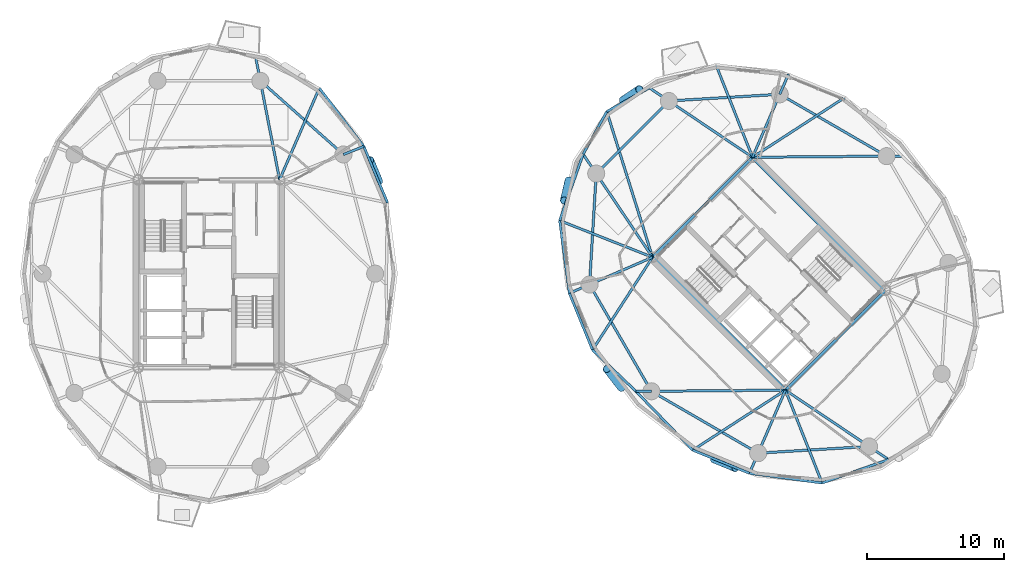
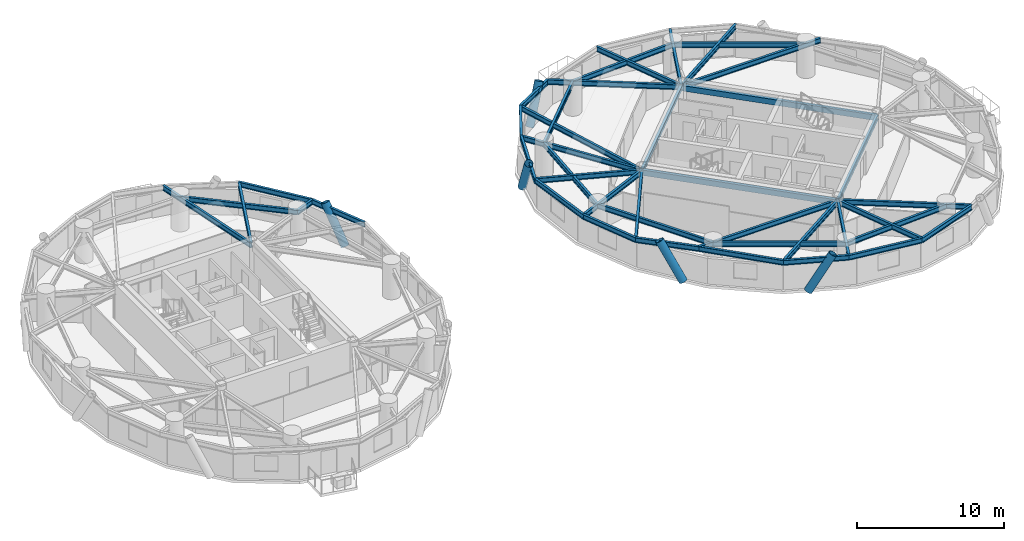
# One storey, part 4 of 15: 44 beams, 5 members.
"""IFC4 building model written with IfcOpenShell, lengths in metres."""

import ifcopenshell
import ifcopenshell.guid

model = None  # the IFC model being written
_history = None  # IfcOwnerHistory: only IFC2X3 demands one
_inside = {}  # id of a spatial element -> (the spatial element, [elements in it])
_under = {}  # id of a project, library or spatial element -> (it, [spatial elements below it])
_declared = {}  # id of a project -> (the project, [libraries it declares])
_typed = {}  # id of a type object -> (the type object, [elements of that type])
_made_of = {}  # id of a material, layer set ... -> (it, [elements and type objects made of it])


def new_model(schema):
    """Start an empty IFC model of exactly this schema.

    Asked for "IFC4X3", IfcOpenShell would pick the latest addendum, in which some entities
    have other attributes; the version numbers below select the first issue.
    IFC2X3 requires an IfcOwnerHistory on every rooted entity: one is made here for all.
    """
    global model, _history
    if schema == "IFC4X3":
        model = ifcopenshell.file(schema_version=(4, 3, 0, 0))
    else:
        model = ifcopenshell.file(schema=schema)
    _inside.clear()
    _under.clear()
    _declared.clear()
    _typed.clear()
    _made_of.clear()
    _history = None
    if model.schema == "IFC2X3":
        org = make("IfcOrganization", Name="unknown")
        user = make(
            "IfcPersonAndOrganization",
            ThePerson=make("IfcPerson", FamilyName="unknown"),
            TheOrganization=org,
        )
        app = make(
            "IfcApplication",
            ApplicationDeveloper=org,
            Version="unknown",
            ApplicationFullName="unknown",
            ApplicationIdentifier="unknown",
        )
        _history = make(
            "IfcOwnerHistory",
            OwningUser=user,
            OwningApplication=app,
            ChangeAction="ADDED",
            CreationDate=0,
        )
    return model


def make(cls, **values):
    """One entity of the class cls with the attributes given. An attribute that is None is left unset."""
    return model.create_entity(
        cls, **{name: value for name, value in values.items() if value is not None}
    )


def rooted(cls, **values):
    """An entity with a GlobalId (a new one), such as an element, a storey or a relation."""
    return make(cls, GlobalId=ifcopenshell.guid.new(), OwnerHistory=_history, **values)


def si_unit(unit_type, name, prefix=None):
    """IfcSIUnit, for example si_unit("LENGTHUNIT", "METRE", prefix="MILLI")."""
    return make("IfcSIUnit", UnitType=unit_type, Prefix=prefix, Name=name)


def assignment(units):
    """IfcUnitAssignment: the units of a project."""
    return None if units is None else make("IfcUnitAssignment", Units=units)


def point(xyz):
    """IfcCartesianPoint."""
    return None if xyz is None else make("IfcCartesianPoint", Coordinates=xyz)


def direction(xyz):
    """IfcDirection."""
    return None if xyz is None else make("IfcDirection", DirectionRatios=xyz)


def frame(location, z_axis=None, x_axis=None):
    """IfcAxis2Placement3D, a coordinate frame: its origin and axes. An axis left out is left unset."""
    return make(
        "IfcAxis2Placement3D",
        Location=point(location),
        Axis=direction(z_axis),
        RefDirection=direction(x_axis),
    )


def frame_2d(location, x_axis=None):
    """IfcAxis2Placement2D, a coordinate frame in the plane: its origin and x axis."""
    return make(
        "IfcAxis2Placement2D", Location=point(location), RefDirection=direction(x_axis)
    )


def origin():
    """The frame at (0, 0, 0) with its axes left unset."""
    return frame((0.0, 0.0, 0.0))


def origin_2d():
    """The frame at (0, 0) in the plane with its x axis left unset."""
    return frame_2d((0.0, 0.0))


def place(relative_to, where):
    """IfcLocalPlacement: puts the frame where relative to a parent placement (None: the world)."""
    return make(
        "IfcLocalPlacement", PlacementRelTo=relative_to, RelativePlacement=where
    )


def context(
    kind, dimensions, precision=None, world=None, true_north=None, identifier=None
):
    """IfcGeometricRepresentationContext, for example the 3D "Model" context."""
    return make(
        "IfcGeometricRepresentationContext",
        ContextIdentifier=identifier,
        ContextType=kind,
        CoordinateSpaceDimension=dimensions,
        Precision=precision,
        WorldCoordinateSystem=world,
        TrueNorth=true_north,
    )


def subcontext(parent, identifier, kind, view, scale=None):
    """IfcGeometricRepresentationSubContext, for example "Body" below "Model"."""
    return make(
        "IfcGeometricRepresentationSubContext",
        ContextIdentifier=identifier,
        ContextType=kind,
        ParentContext=parent,
        TargetScale=scale,
        TargetView=view,
    )


def project(units=None, contexts=None):
    """IfcProject with its units and contexts."""
    return rooted(
        "IfcProject",
        Name="project",
        RepresentationContexts=contexts,
        UnitsInContext=assignment(units),
    )


def spatial(cls, under=None, at=None, **own):
    """A site, building, storey or space (cls), placed at a placement, below another one or the project."""
    s = rooted(cls, ObjectPlacement=at, **own)
    if under is not None:
        _under.setdefault(under.id(), (under, []))[1].append(s)
    return s


def profile(cls, at=None, kind="AREA", **sizes):
    """A parametric profile (cls). Its sizes go by their IFC names, for example OverallWidth=200.0."""
    return make(cls, ProfileType=kind, Position=at, **sizes)


def hollow_rectangle(**sizes):
    """IfcRectangleHollowProfileDef."""
    return profile("IfcRectangleHollowProfileDef", **sizes)


def hollow_circle(**sizes):
    """IfcCircleHollowProfileDef."""
    return profile("IfcCircleHollowProfileDef", **sizes)


def i_section(**sizes):
    """IfcIShapeProfileDef."""
    return profile("IfcIShapeProfileDef", **sizes)


def extrude(swept, where, along, depth):
    """IfcExtrudedAreaSolid: the profile swept, set in the frame where, extruded along a direction by depth."""
    return make(
        "IfcExtrudedAreaSolid",
        SweptArea=swept,
        Position=where,
        ExtrudedDirection=direction(along),
        Depth=depth,
    )


def shape(context_of_items, identifier, shape_type, items):
    """IfcShapeRepresentation: the items that make up one representation, for example the "Body"."""
    return make(
        "IfcShapeRepresentation",
        ContextOfItems=context_of_items,
        RepresentationIdentifier=identifier,
        RepresentationType=shape_type,
        Items=items,
    )


def material(Name=None, Category=None):
    """IfcMaterial."""
    return make("IfcMaterial", Name=Name, Category=Category)


def material_profile(
    of_material, cross_section, Name=None, Category=None, Priority=None
):
    """IfcMaterialProfile: a cross section and its material."""
    return make(
        "IfcMaterialProfile",
        Name=Name,
        Material=of_material,
        Profile=cross_section,
        Priority=Priority,
        Category=Category,
    )


def profile_set(profiles, Name=None, composite=None):
    """IfcMaterialProfileSet."""
    return make(
        "IfcMaterialProfileSet",
        Name=Name,
        MaterialProfiles=profiles,
        CompositeProfile=composite,
    )


def made_of(thing, what):
    """Note that an element or type object is made of a material, layer set ...; save() writes the relation."""
    if what is not None:
        _made_of.setdefault(what.id(), (what, []))[1].append(thing)
    return thing


def type_object(cls, material=None, **own):
    """A type object (cls), such as IfcWallType, which elements share."""
    return made_of(rooted(cls, **own), material)


def element(
    cls,
    number,
    at=None,
    inside=None,
    cuts=None,
    type_object=None,
    material=None,
    context=None,
    identifier="Body",
    shape_type=None,
    held_by="IfcProductDefinitionShape",
    body=None,
    shapes=None,
    **own,
):
    """One element of the class cls, such as IfcWall. Its Tag is "e" and its number.

    at: its placement. inside: the storey or other place that contains it. cuts: it is an
    opening in that element (IfcRelVoidsElement). A single representation is given by context,
    identifier, shape_type and body (its items); several are given by shapes. held_by: the class
    of the entity that holds the representations. save() writes the other relations.
    """
    e = rooted(cls, Tag="e%d" % number, ObjectPlacement=at, **own)
    if body is not None:
        shapes = [shape(context, identifier, shape_type, body)]
    if shapes is not None:
        e.Representation = make(held_by, Representations=shapes)
    if inside is not None:
        _inside.setdefault(inside.id(), (inside, []))[1].append(e)
    if cuts is not None:
        rooted(
            "IfcRelVoidsElement", RelatingBuildingElement=cuts, RelatedOpeningElement=e
        )
    if type_object is not None:
        _typed.setdefault(type_object.id(), (type_object, []))[1].append(e)
    return made_of(e, material)


def aggregate(whole, parts):
    """IfcRelAggregates: a whole, such as a stair, and the parts it consists of."""
    return rooted("IfcRelAggregates", RelatingObject=whole, RelatedObjects=parts)


def save(model, path):
    """Write the relations noted so far, then the file.

    IfcRelAggregates (storeys below a building ...), IfcRelContainedInSpatialStructure (elements
    in a storey), IfcRelDefinesByType, IfcRelAssociatesMaterial and IfcRelDeclares: one each for
    every whole, place, type object, material and project.
    """
    for whole, parts in _under.values():
        aggregate(whole, parts)
    for where, things in _inside.values():
        rooted(
            "IfcRelContainedInSpatialStructure",
            RelatedElements=things,
            RelatingStructure=where,
        )
    for kind, things in _typed.values():
        rooted("IfcRelDefinesByType", RelatedObjects=things, RelatingType=kind)
    for what, things in _made_of.values():
        rooted("IfcRelAssociatesMaterial", RelatedObjects=things, RelatingMaterial=what)
    for by, libraries in _declared.values():
        rooted("IfcRelDeclares", RelatingContext=by, RelatedDefinitions=libraries)
    model.write(path)


model = new_model("IFC4")

# Units and contexts
model_context = context("Model", 3, precision=1e-05, world=origin(), true_north=direction((0.0, 1.0)))
body_context = subcontext(model_context, "Body", "Model", "MODEL_VIEW")
ifc_project = project(units=[si_unit("LENGTHUNIT", "METRE"), si_unit("AREAUNIT", "SQUARE_METRE"), si_unit("VOLUMEUNIT", "CUBIC_METRE"), si_unit("PLANEANGLEUNIT", "RADIAN"), si_unit("MASSUNIT", "GRAM", prefix="KILO")], contexts=[model_context])

# Site, building, storey
site_placement = place(None, origin())
site = spatial("IfcSite", under=ifc_project, at=site_placement, CompositionType="ELEMENT")
building_placement = place(site_placement, origin())
building = spatial("IfcBuilding", under=site, at=building_placement, Name="Cununo Teusaquillo Station Towers", CompositionType="ELEMENT")
storey_placement = place(building_placement, frame((0.0, 0.0, 189.429931640625)))
storey = spatial("IfcBuildingStorey", under=building, at=storey_placement, Name="L60", CompositionType="ELEMENT", Elevation=189.429931640625)

# Beams
ifc_material_1 = material(Name="Steel EN 10025-2 S355J2", Category="steel")
ifc_material_profile_1 = material_profile(ifc_material_1, hollow_rectangle(XDim=0.25, YDim=0.449951171875, WallThickness=0.01611328125, at=origin_2d()), Name="RHS 450x250x16")
ifc_profile_set_1 = profile_set([ifc_material_profile_1], Name="Steel EN 10025-2 S355J2")
beam_type_1 = type_object("IfcBeamType", Name="BM-COUP-1", PredefinedType="USERDEFINED", material=ifc_profile_set_1)
for number, where, z_axis, x_axis, name in (
    (1, (58.70556640625, 15.975830078125, 2.344970703125), (-0.707106781187, 0.707106781187, 0.0), (-0.707106781187, -0.707106781187, 0.0), "L60 Tower B Core Beam 1"),
    (2, (66.024169921875, 23.29443359375, 2.344970703125), (-0.707106781187, 0.707106781187, 0.0), (-0.707106781187, -0.707106781187, 0.0), "L60 Tower B Core Beam 2"),
):
    element("IfcBeam", number, at=place(storey_placement, frame(where, z_axis=z_axis, x_axis=x_axis)), inside=storey, type_object=beam_type_1, Name=name, ObjectType="COUPLING BEAM", PredefinedType="USERDEFINED", context=body_context, shape_type="SweptSolid", body=[
        extrude(hollow_rectangle(XDim=0.25, YDim=0.449951171875, WallThickness=0.01611328125, at=origin_2d()), origin(), (0.0, 0.0, 1.0), 13.760009765625),
    ])
ifc_material_2 = material(Name="Steel ASTM A572 Grade 50", Category="steel")
ifc_material_profile_2 = material_profile(ifc_material_2, i_section(OverallWidth=0.180908203125, OverallDepth=0.4169921875, WebThickness=0.010986328125, FlangeThickness=0.018310546875, FilletRadius=0.012939453125, at=origin_2d()), Name="W16X57")
ifc_profile_set_2 = profile_set([ifc_material_profile_2], Name="Steel ASTM A572 Grade 50")
beam_type_2 = type_object("IfcBeamType", Name="BM-JOIST-1", PredefinedType="JOIST", material=ifc_profile_set_2)
beam_1_placement = place(storey_placement, frame((21.675048828125, 31.3798828125, 2.361572265625), z_axis=(0.397903718051, 0.917427180304, 0.0), x_axis=(-0.917427180304, 0.397903718051, 0.0)))
element("IfcBeam", 3, at=beam_1_placement, inside=storey, type_object=beam_type_2, Name="L60 Tower A Radial Spandrel Joist V03", PredefinedType="JOIST", context=body_context, shape_type="SweptSolid", body=[
    extrude(i_section(OverallWidth=0.180908203125, OverallDepth=0.4169921875, WebThickness=0.010986328125, FlangeThickness=0.018310546875, FilletRadius=0.012939453125, at=origin_2d()), origin(), (0.0, 0.0, 1.0), 7.306884765625),
])
beam_2_placement = place(storey_placement, frame((56.29443359375, 33.024169921875, 2.361572265625), z_axis=(0.839447756954, 0.543440395394, 0.0), x_axis=(-0.543440395394, 0.839447756954, 0.0)))
element("IfcBeam", 4, at=beam_2_placement, inside=storey, type_object=beam_type_2, Name="L60 Tower B Radial Spandrel Joist V01", PredefinedType="JOIST", context=body_context, shape_type="SweptSolid", body=[
    extrude(i_section(OverallWidth=0.180908203125, OverallDepth=0.4169921875, WebThickness=0.010986328125, FlangeThickness=0.018310546875, FilletRadius=0.012939453125, at=origin_2d()), origin(), (0.0, 0.0, 1.0), 8.08203125),
])
beam_3_placement = place(storey_placement, frame((56.29443359375, 33.024169921875, 2.361572265625), z_axis=(-0.367331607091, 0.93009004426, 0.0), x_axis=(-0.93009004426, -0.367331607091, 0.0)))
element("IfcBeam", 5, at=beam_3_placement, inside=storey, type_object=beam_type_2, Name="L60 Tower B Radial Spandrel Joist V03", PredefinedType="JOIST", context=body_context, shape_type="SweptSolid", body=[
    extrude(i_section(OverallWidth=0.180908203125, OverallDepth=0.4169921875, WebThickness=0.010986328125, FlangeThickness=0.018310546875, FilletRadius=0.012939453125, at=origin_2d()), origin(), (0.0, 0.0, 1.0), 7.306884765625),
])
beam_4_placement = place(storey_placement, frame((48.975830078125, 25.70556640625, 2.361572265625), z_axis=(-0.29947962656, 0.954102695351, 0.0), x_axis=(-0.954102695351, -0.29947962656, 0.0)))
element("IfcBeam", 6, at=beam_4_placement, inside=storey, type_object=beam_type_2, Name="L60 Tower B Radial Spandrel Joist V05", PredefinedType="JOIST", context=body_context, shape_type="SweptSolid", body=[
    extrude(i_section(OverallWidth=0.180908203125, OverallDepth=0.4169921875, WebThickness=0.010986328125, FlangeThickness=0.018310546875, FilletRadius=0.012939453125, at=origin_2d()), origin(), (0.0, 0.0, 1.0), 11.179931640625),
])
beam_5_placement = place(storey_placement, frame((48.975830078125, 25.70556640625, 2.361572265625), z_axis=(-0.93009004426, 0.367331607091, 0.0), x_axis=(-0.367331607091, -0.93009004426, 0.0)))
element("IfcBeam", 7, at=beam_5_placement, inside=storey, type_object=beam_type_2, Name="L60 Tower B Radial Spandrel Joist V07", PredefinedType="JOIST", context=body_context, shape_type="SweptSolid", body=[
    extrude(i_section(OverallWidth=0.180908203125, OverallDepth=0.4169921875, WebThickness=0.010986328125, FlangeThickness=0.018310546875, FilletRadius=0.012939453125, at=origin_2d()), origin(), (0.0, 0.0, 1.0), 7.306884765625),
])
for number, where, z_axis, x_axis, name in (
    (8, (48.975830078125, 25.70556640625, 2.361572265625), (-0.543440395394, -0.839447756954, 0.0), (0.839447756954, -0.543440395394, 0.0), "L60 Tower B Radial Spandrel Joist V09"),
    (9, (58.70556640625, 15.975830078125, 2.361572265625), (-0.839447756954, -0.543440395394, 0.0), (0.543440395394, -0.839447756954, 0.0), "L60 Tower B Radial Spandrel Joist V11"),
):
    element("IfcBeam", number, at=place(storey_placement, frame(where, z_axis=z_axis, x_axis=x_axis)), inside=storey, type_object=beam_type_2, Name=name, PredefinedType="JOIST", context=body_context, shape_type="SweptSolid", body=[
        extrude(i_section(OverallWidth=0.180908203125, OverallDepth=0.4169921875, WebThickness=0.010986328125, FlangeThickness=0.018310546875, FilletRadius=0.012939453125, at=origin_2d()), origin(), (0.0, 0.0, 1.0), 8.08203125),
    ])
beam_6_placement = place(storey_placement, frame((58.70556640625, 15.975830078125, 2.361572265625), z_axis=(0.367331607091, -0.93009004426, 0.0), x_axis=(0.93009004426, 0.367331607091, 0.0)))
element("IfcBeam", 10, at=beam_6_placement, inside=storey, type_object=beam_type_2, Name="L60 Tower B Radial Spandrel Joist V13", PredefinedType="JOIST", context=body_context, shape_type="SweptSolid", body=[
    extrude(i_section(OverallWidth=0.180908203125, OverallDepth=0.4169921875, WebThickness=0.010986328125, FlangeThickness=0.018310546875, FilletRadius=0.012939453125, at=origin_2d()), origin(), (0.0, 0.0, 1.0), 7.306884765625),
])
ifc_material_3 = material(Name="Steel ASTM A572 Grade 50", Category="steel")
ifc_material_profile_3 = material_profile(ifc_material_3, i_section(OverallWidth=0.2041015625, OverallDepth=0.35009765625, WebThickness=0.008544921875, FlangeThickness=0.01513671875, FilletRadius=0.011962890625, at=origin_2d()), Name="W14X48")
ifc_profile_set_3 = profile_set([ifc_material_profile_3], Name="Steel ASTM A572 Grade 50")
beam_type_3 = type_object("IfcBeamType", Name="BM-LINTEL-1", PredefinedType="LINTEL", material=ifc_profile_set_3)
for number, where, z_axis, x_axis, name in (
    (11, (58.70556640625, 15.975830078125, 2.39501953125), (0.707106781187, 0.707106781187, 0.0), (-0.707106781187, 0.707106781187, 0.0), "L60 Tower B Core Beam 3"),
    (12, (48.975830078125, 25.70556640625, 2.39501953125), (0.707106781187, 0.707106781187, 0.0), (-0.707106781187, 0.707106781187, 0.0), "L60 Tower B Core Beam 4"),
):
    element("IfcBeam", number, at=place(storey_placement, frame(where, z_axis=z_axis, x_axis=x_axis)), inside=storey, type_object=beam_type_3, Name=name, PredefinedType="LINTEL", context=body_context, shape_type="SweptSolid", body=[
        extrude(i_section(OverallWidth=0.2041015625, OverallDepth=0.35009765625, WebThickness=0.008544921875, FlangeThickness=0.01513671875, FilletRadius=0.011962890625, at=origin_2d()), origin(), (0.0, 0.0, 1.0), 10.35009765625),
    ])
ifc_material_4 = material(Name="Steel ASTM A572 Grade 50", Category="steel")
ifc_material_profile_4 = material_profile(ifc_material_4, i_section(OverallWidth=0.180908203125, OverallDepth=0.4169921875, WebThickness=0.010986328125, FlangeThickness=0.018310546875, FilletRadius=0.012939453125, at=origin_2d()), Name="W16X57")
ifc_profile_set_4 = profile_set([ifc_material_profile_4], Name="Steel ASTM A572 Grade 50")
beam_type_4 = type_object("IfcBeamType", Name="BM-RAD-G2", PredefinedType="BEAM", material=ifc_profile_set_4)
beam_7_placement = place(storey_placement, frame((26.347412109375, 33.228515625, 2.361572265625), z_axis=(0.929873737198, 0.367878829058, 0.0), x_axis=(-0.367878829058, 0.929873737198, 0.0)))
element("IfcBeam", 13, at=beam_7_placement, inside=storey, type_object=beam_type_4, Name="L60 Tower A Perimeter Overhang Girder 02B", PredefinedType="BEAM", context=body_context, shape_type="SweptSolid", body=[
    extrude(i_section(OverallWidth=0.180908203125, OverallDepth=0.4169921875, WebThickness=0.010986328125, FlangeThickness=0.018310546875, FilletRadius=0.012939453125, at=origin_2d()), origin(), (0.0, 0.0, 1.0), 1.607421875),
])
beam_8_placement = place(storey_placement, frame((21.675048828125, 31.3798828125, 2.361572265625), z_axis=(-0.191557018874, 0.981481486591, 0.0), x_axis=(-0.981481486591, -0.191557018874, 0.0)))
element("IfcBeam", 14, at=beam_8_placement, inside=storey, type_object=beam_type_4, Name="L60 Tower A Continuous Overhanging Radial Girder 03", PredefinedType="BEAM", context=body_context, shape_type="SweptSolid", body=[
    extrude(i_section(OverallWidth=0.180908203125, OverallDepth=0.4169921875, WebThickness=0.010986328125, FlangeThickness=0.018310546875, FilletRadius=0.012939453125, at=origin_2d()), origin(), (0.0, 0.0, 1.0), 9.097412109375),
])
beam_9_placement = place(storey_placement, frame((56.29443359375, 33.024169921875, 2.361572265625), z_axis=(0.999964410964, 0.008436634764, 0.0), x_axis=(-0.008436634764, 0.999964410964, 0.0)))
element("IfcBeam", 15, at=beam_9_placement, inside=storey, type_object=beam_type_4, Name="L60 Tower B Continuous Overhanging Radial Girder 01", PredefinedType="BEAM", context=body_context, shape_type="SweptSolid", body=[
    extrude(i_section(OverallWidth=0.180908203125, OverallDepth=0.4169921875, WebThickness=0.010986328125, FlangeThickness=0.018310546875, FilletRadius=0.012939453125, at=origin_2d()), origin(), (0.0, 0.0, 1.0), 10.938720703125),
])
beam_10_placement = place(storey_placement, frame((56.29443359375, 33.024169921875, 2.361572265625), z_axis=(0.397346986387, 0.917668443616, 0.0), x_axis=(-0.917668443616, 0.397346986387, 0.0)))
element("IfcBeam", 16, at=beam_10_placement, inside=storey, type_object=beam_type_4, Name="L60 Tower B Radial Girder 02A", PredefinedType="BEAM", context=body_context, shape_type="SweptSolid", body=[
    extrude(i_section(OverallWidth=0.180908203125, OverallDepth=0.4169921875, WebThickness=0.010986328125, FlangeThickness=0.018310546875, FilletRadius=0.012939453125, at=origin_2d()), origin(), (0.0, 0.0, 1.0), 5.02490234375),
])
beam_11_placement = place(storey_placement, frame((58.291015625, 37.63525390625, 2.361572265625), z_axis=(0.397381487564, 0.917653503966, 0.0), x_axis=(-0.917653503966, 0.397381487564, 0.0)))
element("IfcBeam", 17, at=beam_11_placement, inside=storey, type_object=beam_type_4, Name="L60 Tower B Perimeter Overhang Girder 02B", PredefinedType="BEAM", context=body_context, shape_type="SweptSolid", body=[
    extrude(i_section(OverallWidth=0.180908203125, OverallDepth=0.4169921875, WebThickness=0.010986328125, FlangeThickness=0.018310546875, FilletRadius=0.012939453125, at=origin_2d()), origin(), (0.0, 0.0, 1.0), 1.607177734375),
])
for number, where, z_axis, x_axis, name in (
    (18, (56.29443359375, 33.024169921875, 2.361572265625), (-0.829456719326, 0.558570989907, 0.0), (-0.558570989907, -0.829456719326, 0.0), "L60 Tower B Continuous Overhanging Radial Girder 03"),
    (19, (48.975830078125, 25.70556640625, 2.361572265625), (-0.558570989907, 0.829456719326, 0.0), (-0.829456719326, -0.558570989907, 0.0), "L60 Tower B Continuous Overhanging Radial Girder 04"),
):
    element("IfcBeam", number, at=place(storey_placement, frame(where, z_axis=z_axis, x_axis=x_axis)), inside=storey, type_object=beam_type_4, Name=name, PredefinedType="BEAM", context=body_context, shape_type="SweptSolid", body=[
        extrude(i_section(OverallWidth=0.180908203125, OverallDepth=0.4169921875, WebThickness=0.010986328125, FlangeThickness=0.018310546875, FilletRadius=0.012939453125, at=origin_2d()), origin(), (0.0, 0.0, 1.0), 9.097412109375),
    ])
beam_12_placement = place(storey_placement, frame((48.975830078125, 25.70556640625, 2.361572265625), z_axis=(-0.917664823247, -0.397355347486, 0.0), x_axis=(0.397355347486, -0.917664823247, 0.0)))
element("IfcBeam", 20, at=beam_12_placement, inside=storey, type_object=beam_type_4, Name="L60 Tower B Continuous Overhanging Radial Girder 05", PredefinedType="BEAM", context=body_context, shape_type="SweptSolid", body=[
    extrude(i_section(OverallWidth=0.180908203125, OverallDepth=0.4169921875, WebThickness=0.010986328125, FlangeThickness=0.018310546875, FilletRadius=0.012939453125, at=origin_2d()), origin(), (0.0, 0.0, 1.0), 6.632080078125),
])
beam_13_placement = place(storey_placement, frame((58.70556640625, 15.975830078125, 2.361572265625), z_axis=(-0.999964431382, -0.008434214327, 0.0), x_axis=(0.008434214327, -0.999964431382, 0.0)))
element("IfcBeam", 21, at=beam_13_placement, inside=storey, type_object=beam_type_4, Name="L60 Tower B Radial Girder 06A", PredefinedType="BEAM", context=body_context, shape_type="SweptSolid", body=[
    extrude(i_section(OverallWidth=0.180908203125, OverallDepth=0.4169921875, WebThickness=0.010986328125, FlangeThickness=0.018310546875, FilletRadius=0.012939453125, at=origin_2d()), origin(), (0.0, 0.0, 1.0), 9.812744140625),
])
beam_14_placement = place(storey_placement, frame((48.89306640625, 15.89306640625, 2.361572265625), z_axis=(-0.99996423274, -0.008457732613, 0.0), x_axis=(0.008457732613, -0.99996423274, 0.0)))
element("IfcBeam", 22, at=beam_14_placement, inside=storey, type_object=beam_type_4, Name="L60 Tower B Perimeter Overhang Girder 06B", PredefinedType="BEAM", context=body_context, shape_type="SweptSolid", body=[
    extrude(i_section(OverallWidth=0.180908203125, OverallDepth=0.4169921875, WebThickness=0.010986328125, FlangeThickness=0.018310546875, FilletRadius=0.012939453125, at=origin_2d()), origin(), (0.0, 0.0, 1.0), 1.125732421875),
])
beam_15_placement = place(storey_placement, frame((58.70556640625, 15.975830078125, 2.361572265625), z_axis=(-0.397355347486, -0.917664823247, 0.0), x_axis=(0.917664823247, -0.397355347486, 0.0)))
element("IfcBeam", 23, at=beam_15_placement, inside=storey, type_object=beam_type_4, Name="L60 Tower B Continuous Overhanging Radial Girder 07", PredefinedType="BEAM", context=body_context, shape_type="SweptSolid", body=[
    extrude(i_section(OverallWidth=0.180908203125, OverallDepth=0.4169921875, WebThickness=0.010986328125, FlangeThickness=0.018310546875, FilletRadius=0.012939453125, at=origin_2d()), origin(), (0.0, 0.0, 1.0), 6.632080078125),
])
beam_16_placement = place(storey_placement, frame((58.70556640625, 15.975830078125, 2.361572265625), z_axis=(0.829456719326, -0.558570989907, 0.0), x_axis=(0.558570989907, 0.829456719326, 0.0)))
element("IfcBeam", 24, at=beam_16_placement, inside=storey, type_object=beam_type_4, Name="L60 Tower B Continuous Overhanging Radial Girder 08", PredefinedType="BEAM", context=body_context, shape_type="SweptSolid", body=[
    extrude(i_section(OverallWidth=0.180908203125, OverallDepth=0.4169921875, WebThickness=0.010986328125, FlangeThickness=0.018310546875, FilletRadius=0.012939453125, at=origin_2d()), origin(), (0.0, 0.0, 1.0), 9.097412109375),
])
ifc_material_5 = material(Name="Steel ASTM A572 Grade 50", Category="steel")
ifc_material_profile_5 = material_profile(ifc_material_5, i_section(OverallWidth=0.180908203125, OverallDepth=0.4169921875, WebThickness=0.010986328125, FlangeThickness=0.018310546875, FilletRadius=0.012939453125, at=origin_2d()), Name="W16X57")
ifc_profile_set_5 = profile_set([ifc_material_profile_5], Name="Steel ASTM A572 Grade 50")
beam_type_5 = type_object("IfcBeamType", Name="BM-RING-Z3", PredefinedType="SPANDREL", material=ifc_profile_set_5)
beam_17_placement = place(storey_placement, frame((26.347412109375, 33.228515625, 2.361572265625), z_axis=(-0.74832120039, 0.66333655187, 0.0), x_axis=(-0.66333655187, -0.74832120039, 0.0)))
element("IfcBeam", 25, at=beam_17_placement, inside=storey, type_object=beam_type_5, Name="L60 Tower A Structural Column Ring Girder 02", PredefinedType="SPANDREL", context=body_context, shape_type="SweptSolid", body=[
    extrude(i_section(OverallWidth=0.180908203125, OverallDepth=0.4169921875, WebThickness=0.010986328125, FlangeThickness=0.018310546875, FilletRadius=0.012939453125, at=origin_2d()), origin(), (0.0, 0.0, 1.0), 8.1328125),
])
beam_18_placement = place(storey_placement, frame((29.577880859375, 29.6884765625, 2.361572265625), z_axis=(-0.387360300858, 0.921928412253, 0.0), x_axis=(-0.921928412253, -0.387360300858, 0.0)))
element("IfcBeam", 26, at=beam_18_placement, inside=storey, type_object=beam_type_5, Name="L60 Tower A Spandrel Ring Beam 02", PredefinedType="SPANDREL", context=body_context, shape_type="SweptSolid", body=[
    extrude(i_section(OverallWidth=0.180908203125, OverallDepth=0.4169921875, WebThickness=0.010986328125, FlangeThickness=0.018310546875, FilletRadius=0.012939453125, at=origin_2d()), origin(), (0.0, 0.0, 1.0), 4.481201171875),
])
beam_19_placement = place(storey_placement, frame((27.842041015625, 33.81982421875, 2.361572265625), z_axis=(-0.607340349092, 0.794441753916, 0.0), x_axis=(-0.794441753916, -0.607340349092, 0.0)))
element("IfcBeam", 27, at=beam_19_placement, inside=storey, type_object=beam_type_5, Name="L60 Tower A Spandrel Ring Beam 03", PredefinedType="SPANDREL", context=body_context, shape_type="SweptSolid", body=[
    extrude(i_section(OverallWidth=0.180908203125, OverallDepth=0.4169921875, WebThickness=0.010986328125, FlangeThickness=0.018310546875, FilletRadius=0.012939453125, at=origin_2d()), origin(), (0.0, 0.0, 1.0), 5.366943359375),
])
beam_20_placement = place(storey_placement, frame((66.10693359375, 33.10693359375, 2.361572265625), z_axis=(-0.865267103202, 0.501311121078, 0.0), x_axis=(-0.501311121078, -0.865267103202, 0.0)))
element("IfcBeam", 28, at=beam_20_placement, inside=storey, type_object=beam_type_5, Name="L60 Tower B Structural Column Ring Girder 01", PredefinedType="SPANDREL", context=body_context, shape_type="SweptSolid", body=[
    extrude(i_section(OverallWidth=0.180908203125, OverallDepth=0.4169921875, WebThickness=0.010986328125, FlangeThickness=0.018310546875, FilletRadius=0.012939453125, at=origin_2d()), origin(), (0.0, 0.0, 1.0), 9.032958984375),
])
beam_21_placement = place(storey_placement, frame((58.291015625, 37.63525390625, 2.361572265625), z_axis=(-0.998190567048, -0.06012979176, 0.0), x_axis=(0.06012979176, -0.998190567048, 0.0)))
element("IfcBeam", 29, at=beam_21_placement, inside=storey, type_object=beam_type_5, Name="L60 Tower B Structural Column Ring Girder 02", PredefinedType="SPANDREL", context=body_context, shape_type="SweptSolid", body=[
    extrude(i_section(OverallWidth=0.180908203125, OverallDepth=0.4169921875, WebThickness=0.010986328125, FlangeThickness=0.018310546875, FilletRadius=0.012939453125, at=origin_2d()), origin(), (0.0, 0.0, 1.0), 8.132568359375),
])
beam_22_placement = place(storey_placement, frame((50.173095703125, 37.146240234375, 2.361572265625), z_axis=(-0.707106781187, -0.707106781187, 0.0), x_axis=(0.707106781187, -0.707106781187, 0.0)))
element("IfcBeam", 30, at=beam_22_placement, inside=storey, type_object=beam_type_5, Name="L60 Tower B Structural Column Ring Girder 03", PredefinedType="SPANDREL", context=body_context, shape_type="SweptSolid", body=[
    extrude(i_section(OverallWidth=0.180908203125, OverallDepth=0.4169921875, WebThickness=0.010986328125, FlangeThickness=0.018310546875, FilletRadius=0.012939453125, at=origin_2d()), origin(), (0.0, 0.0, 1.0), 7.522705078125),
])
beam_23_placement = place(storey_placement, frame((44.853759765625, 31.826904296875, 2.361572265625), z_axis=(-0.06012979176, -0.998190567048, 0.0), x_axis=(0.998190567048, -0.06012979176, 0.0)))
element("IfcBeam", 31, at=beam_23_placement, inside=storey, type_object=beam_type_5, Name="L60 Tower B Structural Column Ring Girder 04", PredefinedType="SPANDREL", context=body_context, shape_type="SweptSolid", body=[
    extrude(i_section(OverallWidth=0.180908203125, OverallDepth=0.4169921875, WebThickness=0.010986328125, FlangeThickness=0.018310546875, FilletRadius=0.012939453125, at=origin_2d()), origin(), (0.0, 0.0, 1.0), 8.132568359375),
])
for number, where, z_axis, x_axis, name in (
    (32, (44.36474609375, 23.708984375, 2.361572265625), (0.501311121078, -0.865267103202, 0.0), (0.865267103202, 0.501311121078, 0.0), "L60 Tower B Structural Column Ring Girder 05"),
    (33, (48.89306640625, 15.89306640625, 2.361572265625), (0.865267103202, -0.501311121078, 0.0), (0.501311121078, 0.865267103202, 0.0), "L60 Tower B Structural Column Ring Girder 06"),
):
    element("IfcBeam", number, at=place(storey_placement, frame(where, z_axis=z_axis, x_axis=x_axis)), inside=storey, type_object=beam_type_5, Name=name, PredefinedType="SPANDREL", context=body_context, shape_type="SweptSolid", body=[
        extrude(i_section(OverallWidth=0.180908203125, OverallDepth=0.4169921875, WebThickness=0.010986328125, FlangeThickness=0.018310546875, FilletRadius=0.012939453125, at=origin_2d()), origin(), (0.0, 0.0, 1.0), 9.032958984375),
    ])
beam_24_placement = place(storey_placement, frame((56.708984375, 11.36474609375, 2.361572265625), z_axis=(0.998190567048, 0.06012979176, 0.0), x_axis=(-0.06012979176, 0.998190567048, 0.0)))
element("IfcBeam", 34, at=beam_24_placement, inside=storey, type_object=beam_type_5, Name="L60 Tower B Structural Column Ring Girder 07", PredefinedType="SPANDREL", context=body_context, shape_type="SweptSolid", body=[
    extrude(i_section(OverallWidth=0.180908203125, OverallDepth=0.4169921875, WebThickness=0.010986328125, FlangeThickness=0.018310546875, FilletRadius=0.012939453125, at=origin_2d()), origin(), (0.0, 0.0, 1.0), 8.132568359375),
])
for number, where, z_axis, x_axis, name in (
    (35, (48.74853515625, 38.105712890625, 2.361572265625), (-0.874205659621, -0.485555830659, 0.0), (0.485555830659, -0.874205659621, 0.0), "L60 Tower B Spandrel Ring Beam 05"),
    (36, (45.627685546875, 36.372314453125, 2.361572265625), (-0.485555830659, -0.874205659621, 0.0), (0.874205659621, -0.485555830659, 0.0), "L60 Tower B Spandrel Ring Beam 06"),
):
    element("IfcBeam", number, at=place(storey_placement, frame(where, z_axis=z_axis, x_axis=x_axis)), inside=storey, type_object=beam_type_5, Name=name, PredefinedType="SPANDREL", context=body_context, shape_type="SweptSolid", body=[
        extrude(i_section(OverallWidth=0.180908203125, OverallDepth=0.4169921875, WebThickness=0.010986328125, FlangeThickness=0.018310546875, FilletRadius=0.012939453125, at=origin_2d()), origin(), (0.0, 0.0, 1.0), 3.56982421875),
    ])
beam_25_placement = place(storey_placement, frame((43.894287109375, 33.25146484375, 2.361572265625), z_axis=(-0.332589733158, -0.943071614141, 0.0), x_axis=(0.943071614141, -0.332589733158, 0.0)))
element("IfcBeam", 37, at=beam_25_placement, inside=storey, type_object=beam_type_5, Name="L60 Tower B Spandrel Ring Beam 07", PredefinedType="SPANDREL", context=body_context, shape_type="SweptSolid", body=[
    extrude(i_section(OverallWidth=0.180908203125, OverallDepth=0.4169921875, WebThickness=0.010986328125, FlangeThickness=0.018310546875, FilletRadius=0.012939453125, at=origin_2d()), origin(), (0.0, 0.0, 1.0), 5.1552734375),
])
beam_26_placement = place(storey_placement, frame((42.1796875, 28.3896484375, 2.361572265625), z_axis=(0.132339532096, -0.991204443213, 0.0), x_axis=(0.991204443213, 0.132339532096, 0.0)))
element("IfcBeam", 38, at=beam_26_placement, inside=storey, type_object=beam_type_5, Name="L60 Tower B Spandrel Ring Beam 08", PredefinedType="SPANDREL", context=body_context, shape_type="SweptSolid", body=[
    extrude(i_section(OverallWidth=0.180908203125, OverallDepth=0.4169921875, WebThickness=0.010986328125, FlangeThickness=0.018310546875, FilletRadius=0.012939453125, at=origin_2d()), origin(), (0.0, 0.0, 1.0), 5.366455078125),
])
beam_27_placement = place(storey_placement, frame((42.889892578125, 23.0703125, 2.361572265625), z_axis=(0.377956082264, -0.925823525235, 0.0), x_axis=(0.925823525235, 0.377956082264, 0.0)))
element("IfcBeam", 39, at=beam_27_placement, inside=storey, type_object=beam_type_5, Name="L60 Tower B Spandrel Ring Beam 09", PredefinedType="SPANDREL", context=body_context, shape_type="SweptSolid", body=[
    extrude(i_section(OverallWidth=0.180908203125, OverallDepth=0.4169921875, WebThickness=0.010986328125, FlangeThickness=0.018310546875, FilletRadius=0.012939453125, at=origin_2d()), origin(), (0.0, 0.0, 1.0), 4.481689453125),
])
beam_28_placement = place(storey_placement, frame((44.583740234375, 18.921142578125, 2.361572265625), z_axis=(0.723501643849, -0.690322657421, 0.0), x_axis=(0.690322657421, 0.723501643849, 0.0)))
element("IfcBeam", 40, at=beam_28_placement, inside=storey, type_object=beam_type_5, Name="L60 Tower B Spandrel Ring Beam 10", PredefinedType="SPANDREL", context=body_context, shape_type="SweptSolid", body=[
    extrude(i_section(OverallWidth=0.180908203125, OverallDepth=0.4169921875, WebThickness=0.010986328125, FlangeThickness=0.018310546875, FilletRadius=0.012939453125, at=origin_2d()), origin(), (0.0, 0.0, 1.0), 4.400146484375),
])
beam_29_placement = place(storey_placement, frame((47.767333984375, 15.883544921875, 2.361572265625), z_axis=(0.694791256552, -0.719211450005, 0.0), x_axis=(0.719211450005, 0.694791256552, 0.0)))
element("IfcBeam", 41, at=beam_29_placement, inside=storey, type_object=beam_type_5, Name="L60 Tower B Spandrel Ring Beam 11", PredefinedType="SPANDREL", context=body_context, shape_type="SweptSolid", body=[
    extrude(i_section(OverallWidth=0.180908203125, OverallDepth=0.4169921875, WebThickness=0.010986328125, FlangeThickness=0.018310546875, FilletRadius=0.012939453125, at=origin_2d()), origin(), (0.0, 0.0, 1.0), 5.978515625),
])
beam_30_placement = place(storey_placement, frame((51.921142578125, 11.583740234375, 2.361572265625), z_axis=(0.925823525235, -0.377956082264, 0.0), x_axis=(0.377956082264, 0.925823525235, 0.0)))
element("IfcBeam", 42, at=beam_30_placement, inside=storey, type_object=beam_type_5, Name="L60 Tower B Spandrel Ring Beam 12", PredefinedType="SPANDREL", context=body_context, shape_type="SweptSolid", body=[
    extrude(i_section(OverallWidth=0.180908203125, OverallDepth=0.4169921875, WebThickness=0.010986328125, FlangeThickness=0.018310546875, FilletRadius=0.012939453125, at=origin_2d()), origin(), (0.0, 0.0, 1.0), 4.481689453125),
])
beam_31_placement = place(storey_placement, frame((56.0703125, 9.889892578125, 2.361572265625), z_axis=(0.991204443213, -0.132339532096, 0.0), x_axis=(0.132339532096, 0.991204443213, 0.0)))
element("IfcBeam", 43, at=beam_31_placement, inside=storey, type_object=beam_type_5, Name="L60 Tower B Spandrel Ring Beam 13", PredefinedType="SPANDREL", context=body_context, shape_type="SweptSolid", body=[
    extrude(i_section(OverallWidth=0.180908203125, OverallDepth=0.4169921875, WebThickness=0.010986328125, FlangeThickness=0.018310546875, FilletRadius=0.012939453125, at=origin_2d()), origin(), (0.0, 0.0, 1.0), 5.366455078125),
])
beam_32_placement = place(storey_placement, frame((61.3896484375, 9.1796875, 2.361572265625), z_axis=(0.943071614141, 0.332589733158, 0.0), x_axis=(-0.332589733158, 0.943071614141, 0.0)))
element("IfcBeam", 44, at=beam_32_placement, inside=storey, type_object=beam_type_5, Name="L60 Tower B Spandrel Ring Beam 14", PredefinedType="SPANDREL", context=body_context, shape_type="SweptSolid", body=[
    extrude(i_section(OverallWidth=0.180908203125, OverallDepth=0.4169921875, WebThickness=0.010986328125, FlangeThickness=0.018310546875, FilletRadius=0.012939453125, at=origin_2d()), origin(), (0.0, 0.0, 1.0), 5.1552734375),
])

# Members
ifc_material_6 = material(Name="Steel EN 10025-2 S355J2", Category="steel")
ifc_material_profile_6 = material_profile(ifc_material_6, hollow_circle(Radius=0.304931640625, WallThickness=0.02001953125, at=origin_2d()), Name="CHS 610x20")
ifc_profile_set_6 = profile_set([ifc_material_profile_6], Name="Steel EN 10025-2 S355J2")
member_type = type_object("IfcMemberType", Name="MBR-DIAG-Z3", PredefinedType="BRACE", material=ifc_profile_set_6)
member_1_placement = place(storey_placement, frame((28.927001953125, 31.24853515625, -0.139892578125), z_axis=(-0.193480671787, 0.463570113506, 0.864677962891), x_axis=(-0.922846026244, -0.38516906917, 0.0)))
element("IfcMember", 45, at=member_1_placement, inside=storey, type_object=member_type, Name="L60 Tower A Folded-Zigzag Diagrid Tube C01", PredefinedType="BRACE", context=body_context, shape_type="SweptSolid", body=[
    extrude(hollow_circle(Radius=0.304931640625, WallThickness=0.02001953125, at=origin_2d()), origin(), (0.0, 0.0, 1.0), 3.365234375),
])
member_2_placement = place(storey_placement, frame((46.822998046875, 37.18017578125, -0.139892578125), z_axis=(0.368023716822, 0.248731715475, 0.895930286112), x_axis=(-0.559961028799, 0.828518947416, 0.0)))
element("IfcMember", 46, at=member_2_placement, inside=storey, type_object=member_type, Name="L60 Tower B Folded-Zigzag Diagrid Tube C04", PredefinedType="BRACE", context=body_context, shape_type="SweptSolid", body=[
    extrude(hollow_circle(Radius=0.304931640625, WallThickness=0.02001953125, at=origin_2d()), origin(), (0.0, 0.0, 1.0), 3.247802734375),
])
member_3_placement = place(storey_placement, frame((42.86279296875, 31.32080078125, -0.139892578125), z_axis=(-0.104259152832, -0.447367901679, 0.888252210579), x_axis=(0.973902205409, -0.226968046871, 0.0)))
element("IfcMember", 47, at=member_3_placement, inside=storey, type_object=member_type, Name="L60 Tower B Folded-Zigzag Diagrid Tube C06", PredefinedType="BRACE", context=body_context, shape_type="SweptSolid", body=[
    extrude(hollow_circle(Radius=0.304931640625, WallThickness=0.02001953125, at=origin_2d()), origin(), (0.0, 0.0, 1.0), 3.27587890625),
])
member_4_placement = place(storey_placement, frame((46.71240234375, 16.158203125, -0.139892578125), z_axis=(-0.313761283942, 0.407241996749, 0.857734115436), x_axis=(-0.792155415614, -0.610319422527, 0.0)))
element("IfcMember", 48, at=member_4_placement, inside=storey, type_object=member_type, Name="L60 Tower B Folded-Zigzag Diagrid Tube C09", PredefinedType="BRACE", context=body_context, shape_type="SweptSolid", body=[
    extrude(hollow_circle(Radius=0.304931640625, WallThickness=0.02001953125, at=origin_2d()), origin(), (0.0, 0.0, 1.0), 3.392578125),
])
member_5_placement = place(storey_placement, frame((53.48486328125, 10.94091796875, -0.139892578125), z_axis=(0.464587085322, -0.191014646417, 0.864680429411), x_axis=(0.380263076079, 0.924878366582, 0.0)))
element("IfcMember", 49, at=member_5_placement, inside=storey, type_object=member_type, Name="L60 Tower B Folded-Zigzag Diagrid Tube C11", PredefinedType="BRACE", context=body_context, shape_type="SweptSolid", body=[
    extrude(hollow_circle(Radius=0.304931640625, WallThickness=0.02001953125, at=origin_2d()), origin(), (0.0, 0.0, 1.0), 3.365234375),
])

save(model, "model.ifc")
